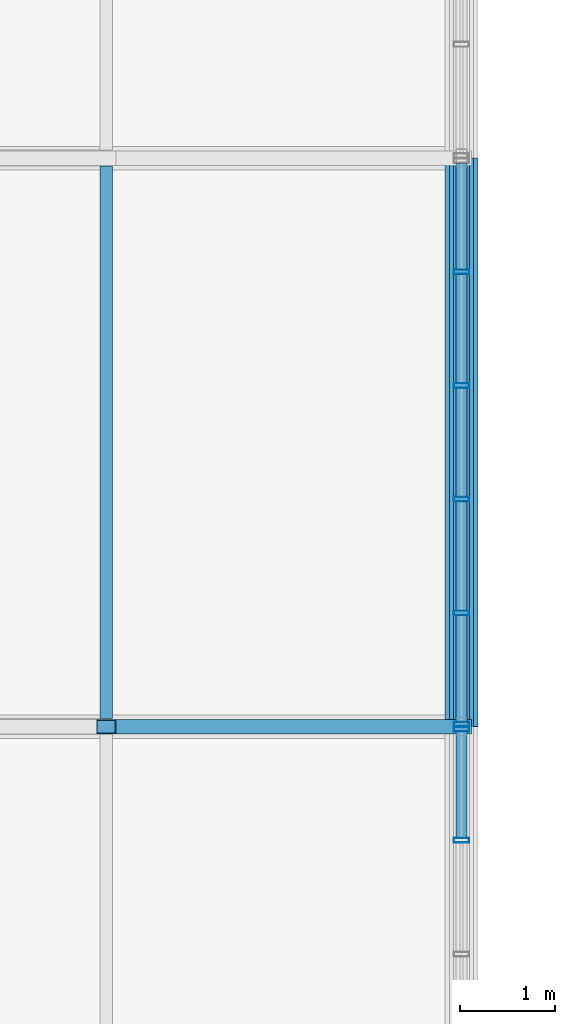
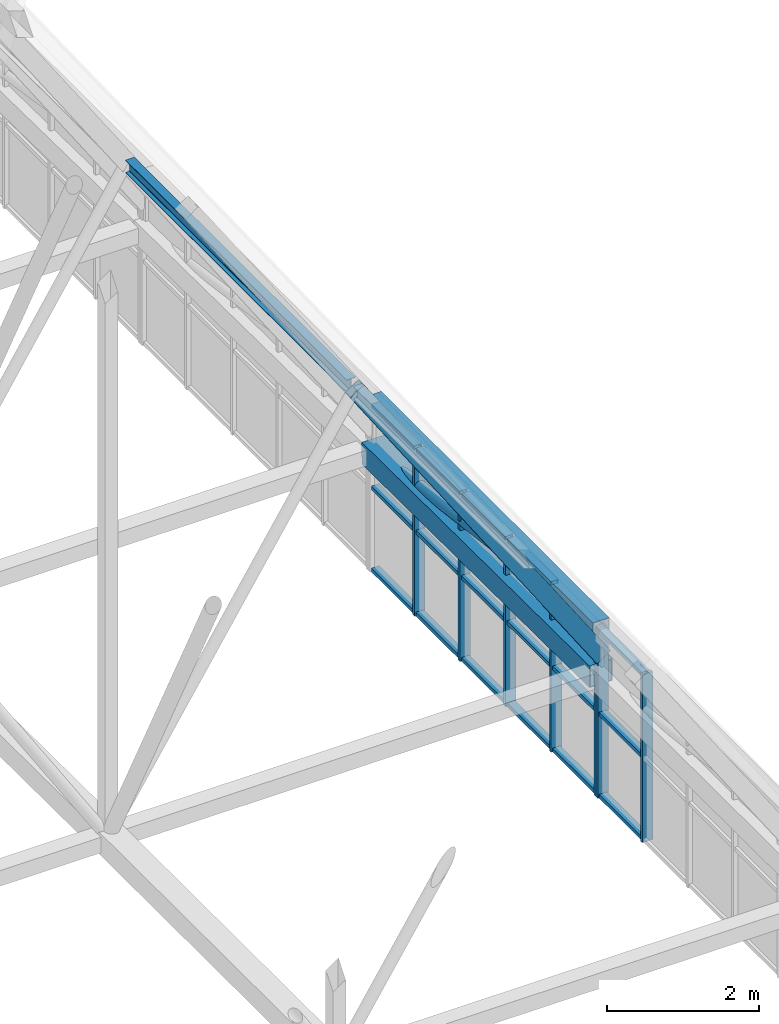
# One storey, part 232 of 324: 29 members, 1 beam, 2 elements without a shape of their own.
"""IFC4 building model written with IfcOpenShell, lengths in metres."""

import ifcopenshell
import ifcopenshell.guid

model = None  # the IFC model being written
_history = None  # IfcOwnerHistory: only IFC2X3 demands one
_inside = {}  # id of a spatial element -> (the spatial element, [elements in it])
_under = {}  # id of a project, library or spatial element -> (it, [spatial elements below it])
_declared = {}  # id of a project -> (the project, [libraries it declares])
_typed = {}  # id of a type object -> (the type object, [elements of that type])
_made_of = {}  # id of a material, layer set ... -> (it, [elements and type objects made of it])


def new_model(schema):
    """Start an empty IFC model of exactly this schema.

    Asked for "IFC4X3", IfcOpenShell would pick the latest addendum, in which some entities
    have other attributes; the version numbers below select the first issue.
    IFC2X3 requires an IfcOwnerHistory on every rooted entity: one is made here for all.
    """
    global model, _history
    if schema == "IFC4X3":
        model = ifcopenshell.file(schema_version=(4, 3, 0, 0))
    else:
        model = ifcopenshell.file(schema=schema)
    _inside.clear()
    _under.clear()
    _declared.clear()
    _typed.clear()
    _made_of.clear()
    _history = None
    if model.schema == "IFC2X3":
        org = make("IfcOrganization", Name="unknown")
        user = make(
            "IfcPersonAndOrganization",
            ThePerson=make("IfcPerson", FamilyName="unknown"),
            TheOrganization=org,
        )
        app = make(
            "IfcApplication",
            ApplicationDeveloper=org,
            Version="unknown",
            ApplicationFullName="unknown",
            ApplicationIdentifier="unknown",
        )
        _history = make(
            "IfcOwnerHistory",
            OwningUser=user,
            OwningApplication=app,
            ChangeAction="ADDED",
            CreationDate=0,
        )
    return model


def make(cls, **values):
    """One entity of the class cls with the attributes given. An attribute that is None is left unset."""
    return model.create_entity(
        cls, **{name: value for name, value in values.items() if value is not None}
    )


def rooted(cls, **values):
    """An entity with a GlobalId (a new one), such as an element, a storey or a relation."""
    return make(cls, GlobalId=ifcopenshell.guid.new(), OwnerHistory=_history, **values)


def si_unit(unit_type, name, prefix=None):
    """IfcSIUnit, for example si_unit("LENGTHUNIT", "METRE", prefix="MILLI")."""
    return make("IfcSIUnit", UnitType=unit_type, Prefix=prefix, Name=name)


def assignment(units):
    """IfcUnitAssignment: the units of a project."""
    return None if units is None else make("IfcUnitAssignment", Units=units)


def point(xyz):
    """IfcCartesianPoint."""
    return None if xyz is None else make("IfcCartesianPoint", Coordinates=xyz)


def direction(xyz):
    """IfcDirection."""
    return None if xyz is None else make("IfcDirection", DirectionRatios=xyz)


def frame(location, z_axis=None, x_axis=None):
    """IfcAxis2Placement3D, a coordinate frame: its origin and axes. An axis left out is left unset."""
    return make(
        "IfcAxis2Placement3D",
        Location=point(location),
        Axis=direction(z_axis),
        RefDirection=direction(x_axis),
    )


def frame_2d(location, x_axis=None):
    """IfcAxis2Placement2D, a coordinate frame in the plane: its origin and x axis."""
    return make(
        "IfcAxis2Placement2D", Location=point(location), RefDirection=direction(x_axis)
    )


def origin():
    """The frame at (0, 0, 0) with its axes left unset."""
    return frame((0.0, 0.0, 0.0))


def origin_2d():
    """The frame at (0, 0) in the plane with its x axis left unset."""
    return frame_2d((0.0, 0.0))


def place(relative_to, where):
    """IfcLocalPlacement: puts the frame where relative to a parent placement (None: the world)."""
    return make(
        "IfcLocalPlacement", PlacementRelTo=relative_to, RelativePlacement=where
    )


def context(
    kind, dimensions, precision=None, world=None, true_north=None, identifier=None
):
    """IfcGeometricRepresentationContext, for example the 3D "Model" context."""
    return make(
        "IfcGeometricRepresentationContext",
        ContextIdentifier=identifier,
        ContextType=kind,
        CoordinateSpaceDimension=dimensions,
        Precision=precision,
        WorldCoordinateSystem=world,
        TrueNorth=true_north,
    )


def subcontext(parent, identifier, kind, view, scale=None):
    """IfcGeometricRepresentationSubContext, for example "Body" below "Model"."""
    return make(
        "IfcGeometricRepresentationSubContext",
        ContextIdentifier=identifier,
        ContextType=kind,
        ParentContext=parent,
        TargetScale=scale,
        TargetView=view,
    )


def project(units=None, contexts=None):
    """IfcProject with its units and contexts."""
    return rooted(
        "IfcProject",
        Name="project",
        RepresentationContexts=contexts,
        UnitsInContext=assignment(units),
    )


def spatial(cls, under=None, at=None, **own):
    """A site, building, storey or space (cls), placed at a placement, below another one or the project."""
    s = rooted(cls, ObjectPlacement=at, **own)
    if under is not None:
        _under.setdefault(under.id(), (under, []))[1].append(s)
    return s


def profile(cls, at=None, kind="AREA", **sizes):
    """A parametric profile (cls). Its sizes go by their IFC names, for example OverallWidth=200.0."""
    return make(cls, ProfileType=kind, Position=at, **sizes)


def hollow_rectangle(**sizes):
    """IfcRectangleHollowProfileDef."""
    return profile("IfcRectangleHollowProfileDef", **sizes)


def hollow_circle(**sizes):
    """IfcCircleHollowProfileDef."""
    return profile("IfcCircleHollowProfileDef", **sizes)


def i_section(**sizes):
    """IfcIShapeProfileDef."""
    return profile("IfcIShapeProfileDef", **sizes)


def extrude(swept, where, along, depth):
    """IfcExtrudedAreaSolid: the profile swept, set in the frame where, extruded along a direction by depth."""
    return make(
        "IfcExtrudedAreaSolid",
        SweptArea=swept,
        Position=where,
        ExtrudedDirection=direction(along),
        Depth=depth,
    )


def shape(context_of_items, identifier, shape_type, items):
    """IfcShapeRepresentation: the items that make up one representation, for example the "Body"."""
    return make(
        "IfcShapeRepresentation",
        ContextOfItems=context_of_items,
        RepresentationIdentifier=identifier,
        RepresentationType=shape_type,
        Items=items,
    )


def material(Name=None, Category=None):
    """IfcMaterial."""
    return make("IfcMaterial", Name=Name, Category=Category)


def layer(
    of_material, thickness, ventilated=None, Name=None, Category=None, Priority=None
):
    """IfcMaterialLayer: one layer of a wall or slab, of a material (None: an air gap)."""
    return make(
        "IfcMaterialLayer",
        Material=of_material,
        LayerThickness=thickness,
        IsVentilated=ventilated,
        Name=Name,
        Category=Category,
        Priority=Priority,
    )


def layer_set(layers, Name=None):
    """IfcMaterialLayerSet."""
    return make("IfcMaterialLayerSet", MaterialLayers=layers, LayerSetName=Name)


def material_profile(
    of_material, cross_section, Name=None, Category=None, Priority=None
):
    """IfcMaterialProfile: a cross section and its material."""
    return make(
        "IfcMaterialProfile",
        Name=Name,
        Material=of_material,
        Profile=cross_section,
        Priority=Priority,
        Category=Category,
    )


def profile_set(profiles, Name=None, composite=None):
    """IfcMaterialProfileSet."""
    return make(
        "IfcMaterialProfileSet",
        Name=Name,
        MaterialProfiles=profiles,
        CompositeProfile=composite,
    )


def made_of(thing, what):
    """Note that an element or type object is made of a material, layer set ...; save() writes the relation."""
    if what is not None:
        _made_of.setdefault(what.id(), (what, []))[1].append(thing)
    return thing


def type_object(cls, material=None, **own):
    """A type object (cls), such as IfcWallType, which elements share."""
    return made_of(rooted(cls, **own), material)


def element(
    cls,
    number,
    at=None,
    inside=None,
    cuts=None,
    type_object=None,
    material=None,
    context=None,
    identifier="Body",
    shape_type=None,
    held_by="IfcProductDefinitionShape",
    body=None,
    shapes=None,
    **own,
):
    """One element of the class cls, such as IfcWall. Its Tag is "e" and its number.

    at: its placement. inside: the storey or other place that contains it. cuts: it is an
    opening in that element (IfcRelVoidsElement). A single representation is given by context,
    identifier, shape_type and body (its items); several are given by shapes. held_by: the class
    of the entity that holds the representations. save() writes the other relations.
    """
    e = rooted(cls, Tag="e%d" % number, ObjectPlacement=at, **own)
    if body is not None:
        shapes = [shape(context, identifier, shape_type, body)]
    if shapes is not None:
        e.Representation = make(held_by, Representations=shapes)
    if inside is not None:
        _inside.setdefault(inside.id(), (inside, []))[1].append(e)
    if cuts is not None:
        rooted(
            "IfcRelVoidsElement", RelatingBuildingElement=cuts, RelatedOpeningElement=e
        )
    if type_object is not None:
        _typed.setdefault(type_object.id(), (type_object, []))[1].append(e)
    return made_of(e, material)


def aggregate(whole, parts):
    """IfcRelAggregates: a whole, such as a stair, and the parts it consists of."""
    return rooted("IfcRelAggregates", RelatingObject=whole, RelatedObjects=parts)


def save(model, path):
    """Write the relations noted so far, then the file.

    IfcRelAggregates (storeys below a building ...), IfcRelContainedInSpatialStructure (elements
    in a storey), IfcRelDefinesByType, IfcRelAssociatesMaterial and IfcRelDeclares: one each for
    every whole, place, type object, material and project.
    """
    for whole, parts in _under.values():
        aggregate(whole, parts)
    for where, things in _inside.values():
        rooted(
            "IfcRelContainedInSpatialStructure",
            RelatedElements=things,
            RelatingStructure=where,
        )
    for kind, things in _typed.values():
        rooted("IfcRelDefinesByType", RelatedObjects=things, RelatingType=kind)
    for what, things in _made_of.values():
        rooted("IfcRelAssociatesMaterial", RelatedObjects=things, RelatingMaterial=what)
    for by, libraries in _declared.values():
        rooted("IfcRelDeclares", RelatingContext=by, RelatedDefinitions=libraries)
    model.write(path)


model = new_model("IFC4")

# Units and contexts
model_context = context("Model", 3, precision=1e-05, world=origin(), true_north=direction((0.0, 1.0)))
body_context = subcontext(model_context, "Body", "Model", "MODEL_VIEW")
ifc_project = project(units=[si_unit("LENGTHUNIT", "METRE"), si_unit("AREAUNIT", "SQUARE_METRE"), si_unit("VOLUMEUNIT", "CUBIC_METRE"), si_unit("PLANEANGLEUNIT", "RADIAN"), si_unit("MASSUNIT", "GRAM", prefix="KILO")], contexts=[model_context])

# Site, building, storey
site_placement = place(None, origin())
site = spatial("IfcSite", under=ifc_project, at=site_placement, CompositionType="ELEMENT")
building_placement = place(site_placement, origin())
building = spatial("IfcBuilding", under=site, at=building_placement, Name="Solvenia Promenade Tram Depot", CompositionType="ELEMENT")
storey_placement = place(building_placement, frame((0.0, 0.0, 4.5)))
storey = spatial("IfcBuildingStorey", under=building, at=storey_placement, Name="L01", CompositionType="ELEMENT", Elevation=4.5)

# Curtain wall, members
ifc_material_1 = material(Name="Anodized aluminium AW-6063 T6", Category="aluminium")
ifc_layer = layer(ifc_material_1, 0.159912109375, Name="Anodized aluminium AW-6063 T6", Category="aluminium")
ifc_layer_set = layer_set([ifc_layer], Name="Anodized aluminium AW-6063 T6")
curtain_wall_type = type_object("IfcCurtainWallType", Name="CW-Channel-1200", PredefinedType="NOTDEFINED", material=ifc_layer_set)
curtain_wall_1_placement = place(storey_placement, origin())
curtain_wall_1 = element("IfcCurtainWall", 1, at=curtain_wall_1_placement, inside=storey, type_object=curtain_wall_type, Name="Curtain Wall CW-V1E-06", PredefinedType="NOTDEFINED")
ifc_material_profile_1 = material_profile(ifc_material_1, hollow_rectangle(XDim=0.159912109375, YDim=0.052001953125, WallThickness=0.00390625, at=origin_2d()), Name="ALU-M1", Category="aluminium")
ifc_profile_set_1 = profile_set([ifc_material_profile_1], Name="Anodized aluminium AW-6063 T6")
member_type_1 = type_object("IfcMemberType", Name="CWM-Mullion-1", PredefinedType="MULLION", material=ifc_profile_set_1)
member_1_placement = place(storey_placement, frame((150.0, 100.800048828125, 0.699951171875), z_axis=(0.0, 0.0, 1.0), x_axis=(-1.0, 0.0, 0.0)))
member_1 = element("IfcMember", 2, at=member_1_placement, type_object=member_type_1, Name="CW-1 mullion 5", PredefinedType="MULLION", context=body_context, shape_type="SweptSolid", body=[
    extrude(hollow_rectangle(XDim=0.159912109375, YDim=0.052001953125, WallThickness=0.00390625, at=origin_2d()), origin(), (0.0, 0.0, 1.0), 2.699951171875),
])
member_2_placement = place(storey_placement, frame((150.0, 101.97412109375, 0.699951171875), z_axis=(0.0, 0.0, 1.0), x_axis=(-1.0, 0.0, 0.0)))
member_2 = element("IfcMember", 3, at=member_2_placement, type_object=member_type_1, Name="CW-1 mullion 6", PredefinedType="MULLION", context=body_context, shape_type="SweptSolid", body=[
    extrude(hollow_rectangle(XDim=0.159912109375, YDim=0.052001953125, WallThickness=0.00390625, at=origin_2d()), origin(), (0.0, 0.0, 1.0), 2.699951171875),
])

curtain_wall_2_placement = place(storey_placement, origin())
curtain_wall_2 = element("IfcCurtainWall", 4, at=curtain_wall_2_placement, inside=storey, type_object=curtain_wall_type, Name="Curtain Wall CW-V1E-07", PredefinedType="NOTDEFINED")
member_3_placement = place(storey_placement, frame((150.0, 102.02587890625, 0.699951171875), z_axis=(0.0, 0.0, 1.0), x_axis=(-1.0, 0.0, 0.0)))
member_3 = element("IfcMember", 5, at=member_3_placement, type_object=member_type_1, Name="CW-1 mullion 1", PredefinedType="MULLION", context=body_context, shape_type="SweptSolid", body=[
    extrude(hollow_rectangle(XDim=0.159912109375, YDim=0.052001953125, WallThickness=0.00390625, at=origin_2d()), origin(), (0.0, 0.0, 1.0), 2.699951171875),
])
member_4_placement = place(storey_placement, frame((150.0, 103.199951171875, 0.699951171875), z_axis=(0.0, 0.0, 1.0), x_axis=(-1.0, 0.0, 0.0)))
member_4 = element("IfcMember", 6, at=member_4_placement, type_object=member_type_1, Name="CW-1 mullion 2", PredefinedType="MULLION", context=body_context, shape_type="SweptSolid", body=[
    extrude(hollow_rectangle(XDim=0.159912109375, YDim=0.052001953125, WallThickness=0.00390625, at=origin_2d()), origin(), (0.0, 0.0, 1.0), 2.699951171875),
])
member_5_placement = place(storey_placement, frame((150.0, 104.39990234375, 0.699951171875), z_axis=(0.0, 0.0, 1.0), x_axis=(-1.0, 0.0, 0.0)))
member_5 = element("IfcMember", 7, at=member_5_placement, type_object=member_type_1, Name="CW-1 mullion 3", PredefinedType="MULLION", context=body_context, shape_type="SweptSolid", body=[
    extrude(hollow_rectangle(XDim=0.159912109375, YDim=0.052001953125, WallThickness=0.00390625, at=origin_2d()), origin(), (0.0, 0.0, 1.0), 2.699951171875),
])
member_6_placement = place(storey_placement, frame((150.0, 105.60009765625, 0.699951171875), z_axis=(0.0, 0.0, 1.0), x_axis=(-1.0, 0.0, 0.0)))
member_6 = element("IfcMember", 8, at=member_6_placement, type_object=member_type_1, Name="CW-1 mullion 4", PredefinedType="MULLION", context=body_context, shape_type="SweptSolid", body=[
    extrude(hollow_rectangle(XDim=0.159912109375, YDim=0.052001953125, WallThickness=0.00390625, at=origin_2d()), origin(), (0.0, 0.0, 1.0), 2.699951171875),
])
member_7_placement = place(storey_placement, frame((150.0, 106.800048828125, 0.699951171875), z_axis=(0.0, 0.0, 1.0), x_axis=(-1.0, 0.0, 0.0)))
member_7 = element("IfcMember", 9, at=member_7_placement, type_object=member_type_1, Name="CW-1 mullion 5", PredefinedType="MULLION", context=body_context, shape_type="SweptSolid", body=[
    extrude(hollow_rectangle(XDim=0.159912109375, YDim=0.052001953125, WallThickness=0.00390625, at=origin_2d()), origin(), (0.0, 0.0, 1.0), 2.699951171875),
])

# Member
ifc_material_profile_2 = material_profile(ifc_material_1, hollow_rectangle(XDim=0.1201171875, YDim=0.06005859375, WallThickness=0.00390625, at=origin_2d()), Name="ALU-T1", Category="aluminium")
ifc_profile_set_2 = profile_set([ifc_material_profile_2], Name="Anodized aluminium AW-6063 T6")
member_type_2 = type_object("IfcMemberType", Name="CWT-Transom-1", PredefinedType="USERDEFINED", material=ifc_profile_set_2)
member_8_placement = place(storey_placement, frame((150.0, 100.825927734375, 0.72998046875), z_axis=(0.0, 1.0, 0.0), x_axis=(-1.0, 0.0, 0.0)))
member_8 = element("IfcMember", 10, at=member_8_placement, type_object=member_type_2, Name="CW-1 transom 5.1", ObjectType="TRANSOM", PredefinedType="USERDEFINED", context=body_context, shape_type="SweptSolid", body=[
    extrude(hollow_rectangle(XDim=0.1201171875, YDim=0.06005859375, WallThickness=0.00390625, at=origin_2d()), origin(), (0.0, 0.0, 1.0), 1.1220703125),
])

member_9_placement = place(storey_placement, frame((150.0, 100.825927734375, 2.050048828125), z_axis=(0.0, 1.0, 0.0), x_axis=(-1.0, 0.0, 0.0)))
member_9 = element("IfcMember", 11, at=member_9_placement, type_object=member_type_2, Name="CW-1 transom 5.2", ObjectType="TRANSOM", PredefinedType="USERDEFINED", context=body_context, shape_type="SweptSolid", body=[
    extrude(hollow_rectangle(XDim=0.1201171875, YDim=0.06005859375, WallThickness=0.00390625, at=origin_2d()), origin(), (0.0, 0.0, 1.0), 1.1220703125),
])

member_10_placement = place(storey_placement, frame((150.0, 100.825927734375, 3.3701171875), z_axis=(0.0, 1.0, 0.0), x_axis=(-1.0, 0.0, 0.0)))
member_10 = element("IfcMember", 12, at=member_10_placement, type_object=member_type_2, Name="CW-1 transom 5.3", ObjectType="TRANSOM", PredefinedType="USERDEFINED", context=body_context, shape_type="SweptSolid", body=[
    extrude(hollow_rectangle(XDim=0.1201171875, YDim=0.06005859375, WallThickness=0.00390625, at=origin_2d()), origin(), (0.0, 0.0, 1.0), 1.1220703125),
])

aggregate(curtain_wall_1, [member_1, member_2, member_8, member_9, member_10])

member_11_placement = place(storey_placement, frame((150.0, 102.052001953125, 0.72998046875), z_axis=(0.0, 1.0, 0.0), x_axis=(-1.0, 0.0, 0.0)))
member_11 = element("IfcMember", 13, at=member_11_placement, type_object=member_type_2, Name="CW-1 transom 1.1", ObjectType="TRANSOM", PredefinedType="USERDEFINED", context=body_context, shape_type="SweptSolid", body=[
    extrude(hollow_rectangle(XDim=0.1201171875, YDim=0.06005859375, WallThickness=0.00390625, at=origin_2d()), origin(), (0.0, 0.0, 1.0), 1.1220703125),
])

member_12_placement = place(storey_placement, frame((150.0, 102.052001953125, 2.050048828125), z_axis=(0.0, 1.0, 0.0), x_axis=(-1.0, 0.0, 0.0)))
member_12 = element("IfcMember", 14, at=member_12_placement, type_object=member_type_2, Name="CW-1 transom 1.2", ObjectType="TRANSOM", PredefinedType="USERDEFINED", context=body_context, shape_type="SweptSolid", body=[
    extrude(hollow_rectangle(XDim=0.1201171875, YDim=0.06005859375, WallThickness=0.00390625, at=origin_2d()), origin(), (0.0, 0.0, 1.0), 1.1220703125),
])

member_13_placement = place(storey_placement, frame((150.0, 102.052001953125, 3.3701171875), z_axis=(0.0, 1.0, 0.0), x_axis=(-1.0, 0.0, 0.0)))
member_13 = element("IfcMember", 15, at=member_13_placement, type_object=member_type_2, Name="CW-1 transom 1.3", ObjectType="TRANSOM", PredefinedType="USERDEFINED", context=body_context, shape_type="SweptSolid", body=[
    extrude(hollow_rectangle(XDim=0.1201171875, YDim=0.06005859375, WallThickness=0.00390625, at=origin_2d()), origin(), (0.0, 0.0, 1.0), 1.1220703125),
])

member_14_placement = place(storey_placement, frame((150.0, 103.22607421875, 0.72998046875), z_axis=(0.0, 1.0, 0.0), x_axis=(-1.0, 0.0, 0.0)))
member_14 = element("IfcMember", 16, at=member_14_placement, type_object=member_type_2, Name="CW-1 transom 2.1", ObjectType="TRANSOM", PredefinedType="USERDEFINED", context=body_context, shape_type="SweptSolid", body=[
    extrude(hollow_rectangle(XDim=0.1201171875, YDim=0.06005859375, WallThickness=0.00390625, at=origin_2d()), origin(), (0.0, 0.0, 1.0), 1.14794921875),
])

member_15_placement = place(storey_placement, frame((150.0, 103.22607421875, 2.050048828125), z_axis=(0.0, 1.0, 0.0), x_axis=(-1.0, 0.0, 0.0)))
member_15 = element("IfcMember", 17, at=member_15_placement, type_object=member_type_2, Name="CW-1 transom 2.2", ObjectType="TRANSOM", PredefinedType="USERDEFINED", context=body_context, shape_type="SweptSolid", body=[
    extrude(hollow_rectangle(XDim=0.1201171875, YDim=0.06005859375, WallThickness=0.00390625, at=origin_2d()), origin(), (0.0, 0.0, 1.0), 1.14794921875),
])

member_16_placement = place(storey_placement, frame((150.0, 103.22607421875, 3.3701171875), z_axis=(0.0, 1.0, 0.0), x_axis=(-1.0, 0.0, 0.0)))
member_16 = element("IfcMember", 18, at=member_16_placement, type_object=member_type_2, Name="CW-1 transom 2.3", ObjectType="TRANSOM", PredefinedType="USERDEFINED", context=body_context, shape_type="SweptSolid", body=[
    extrude(hollow_rectangle(XDim=0.1201171875, YDim=0.06005859375, WallThickness=0.00390625, at=origin_2d()), origin(), (0.0, 0.0, 1.0), 1.14794921875),
])

member_17_placement = place(storey_placement, frame((150.0, 104.426025390625, 0.72998046875), z_axis=(0.0, 1.0, 0.0), x_axis=(-1.0, 0.0, 0.0)))
member_17 = element("IfcMember", 19, at=member_17_placement, type_object=member_type_2, Name="CW-1 transom 3.1", ObjectType="TRANSOM", PredefinedType="USERDEFINED", context=body_context, shape_type="SweptSolid", body=[
    extrude(hollow_rectangle(XDim=0.1201171875, YDim=0.06005859375, WallThickness=0.00390625, at=origin_2d()), origin(), (0.0, 0.0, 1.0), 1.14794921875),
])

member_18_placement = place(storey_placement, frame((150.0, 104.426025390625, 2.050048828125), z_axis=(0.0, 1.0, 0.0), x_axis=(-1.0, 0.0, 0.0)))
member_18 = element("IfcMember", 20, at=member_18_placement, type_object=member_type_2, Name="CW-1 transom 3.2", ObjectType="TRANSOM", PredefinedType="USERDEFINED", context=body_context, shape_type="SweptSolid", body=[
    extrude(hollow_rectangle(XDim=0.1201171875, YDim=0.06005859375, WallThickness=0.00390625, at=origin_2d()), origin(), (0.0, 0.0, 1.0), 1.14794921875),
])

member_19_placement = place(storey_placement, frame((150.0, 104.426025390625, 3.3701171875), z_axis=(0.0, 1.0, 0.0), x_axis=(-1.0, 0.0, 0.0)))
member_19 = element("IfcMember", 21, at=member_19_placement, type_object=member_type_2, Name="CW-1 transom 3.3", ObjectType="TRANSOM", PredefinedType="USERDEFINED", context=body_context, shape_type="SweptSolid", body=[
    extrude(hollow_rectangle(XDim=0.1201171875, YDim=0.06005859375, WallThickness=0.00390625, at=origin_2d()), origin(), (0.0, 0.0, 1.0), 1.14794921875),
])

member_20_placement = place(storey_placement, frame((150.0, 105.6259765625, 0.72998046875), z_axis=(0.0, 1.0, 0.0), x_axis=(-1.0, 0.0, 0.0)))
member_20 = element("IfcMember", 22, at=member_20_placement, type_object=member_type_2, Name="CW-1 transom 4.1", ObjectType="TRANSOM", PredefinedType="USERDEFINED", context=body_context, shape_type="SweptSolid", body=[
    extrude(hollow_rectangle(XDim=0.1201171875, YDim=0.06005859375, WallThickness=0.00390625, at=origin_2d()), origin(), (0.0, 0.0, 1.0), 1.14794921875),
])

member_21_placement = place(storey_placement, frame((150.0, 105.6259765625, 2.050048828125), z_axis=(0.0, 1.0, 0.0), x_axis=(-1.0, 0.0, 0.0)))
member_21 = element("IfcMember", 23, at=member_21_placement, type_object=member_type_2, Name="CW-1 transom 4.2", ObjectType="TRANSOM", PredefinedType="USERDEFINED", context=body_context, shape_type="SweptSolid", body=[
    extrude(hollow_rectangle(XDim=0.1201171875, YDim=0.06005859375, WallThickness=0.00390625, at=origin_2d()), origin(), (0.0, 0.0, 1.0), 1.14794921875),
])

member_22_placement = place(storey_placement, frame((150.0, 105.6259765625, 3.3701171875), z_axis=(0.0, 1.0, 0.0), x_axis=(-1.0, 0.0, 0.0)))
member_22 = element("IfcMember", 24, at=member_22_placement, type_object=member_type_2, Name="CW-1 transom 4.3", ObjectType="TRANSOM", PredefinedType="USERDEFINED", context=body_context, shape_type="SweptSolid", body=[
    extrude(hollow_rectangle(XDim=0.1201171875, YDim=0.06005859375, WallThickness=0.00390625, at=origin_2d()), origin(), (0.0, 0.0, 1.0), 1.14794921875),
])

member_23_placement = place(storey_placement, frame((150.0, 106.825927734375, 0.72998046875), z_axis=(0.0, 1.0, 0.0), x_axis=(-1.0, 0.0, 0.0)))
member_23 = element("IfcMember", 25, at=member_23_placement, type_object=member_type_2, Name="CW-1 transom 5.1", ObjectType="TRANSOM", PredefinedType="USERDEFINED", context=body_context, shape_type="SweptSolid", body=[
    extrude(hollow_rectangle(XDim=0.1201171875, YDim=0.06005859375, WallThickness=0.00390625, at=origin_2d()), origin(), (0.0, 0.0, 1.0), 1.1220703125),
])

member_24_placement = place(storey_placement, frame((150.0, 106.825927734375, 2.050048828125), z_axis=(0.0, 1.0, 0.0), x_axis=(-1.0, 0.0, 0.0)))
member_24 = element("IfcMember", 26, at=member_24_placement, type_object=member_type_2, Name="CW-1 transom 5.2", ObjectType="TRANSOM", PredefinedType="USERDEFINED", context=body_context, shape_type="SweptSolid", body=[
    extrude(hollow_rectangle(XDim=0.1201171875, YDim=0.06005859375, WallThickness=0.00390625, at=origin_2d()), origin(), (0.0, 0.0, 1.0), 1.1220703125),
])

member_25_placement = place(storey_placement, frame((150.0, 106.825927734375, 3.3701171875), z_axis=(0.0, 1.0, 0.0), x_axis=(-1.0, 0.0, 0.0)))
member_25 = element("IfcMember", 27, at=member_25_placement, type_object=member_type_2, Name="CW-1 transom 5.3", ObjectType="TRANSOM", PredefinedType="USERDEFINED", context=body_context, shape_type="SweptSolid", body=[
    extrude(hollow_rectangle(XDim=0.1201171875, YDim=0.06005859375, WallThickness=0.00390625, at=origin_2d()), origin(), (0.0, 0.0, 1.0), 1.1220703125),
])

aggregate(curtain_wall_2, [member_3, member_4, member_5, member_6, member_7, member_11, member_12, member_13, member_14, member_15, member_16, member_17, member_18, member_19, member_20, member_21, member_22, member_23, member_24, member_25])

# Members
ifc_material_2 = material(Name="Structural steel ASTM A500 Gr. C", Category="steel")
ifc_material_profile_3 = material_profile(ifc_material_2, hollow_rectangle(XDim=0.14990234375, YDim=0.25, WallThickness=0.010009765625, at=origin_2d()), Name="HSS250x150x10", Category="steel")
ifc_profile_set_3 = profile_set([ifc_material_profile_3], Name="Structural steel ASTM A500 Gr. C")
member_type_3 = type_object("IfcMemberType", Name="Chord-HSS250x150x10", PredefinedType="CHORD", material=ifc_profile_set_3)
member_26_placement = place(storey_placement, frame((146.25, 102.0, 8.54443359375), z_axis=(0.557276274528, 0.0, -0.830327136644), x_axis=(0.0, 1.0, 0.0)))
element("IfcMember", 28, at=member_26_placement, inside=storey, type_object=member_type_3, Name="Zigzag Gable 10 East Lower Rafter", PredefinedType="CHORD", context=body_context, shape_type="SweptSolid", body=[
    extrude(hollow_rectangle(XDim=0.14990234375, YDim=0.25, WallThickness=0.010009765625, at=origin_2d()), origin(), (0.0, 0.0, 1.0), 6.729248046875),
])
ifc_material_profile_4 = material_profile(ifc_material_2, hollow_rectangle(XDim=0.25, YDim=0.25, WallThickness=0.010009765625, at=origin_2d()), Name="HSS250x250x10", Category="steel")
ifc_profile_set_4 = profile_set([ifc_material_profile_4], Name="Structural steel ASTM A500 Gr. C")
member_type_4 = type_object("IfcMemberType", Name="Chord-HSS250x250x10", PredefinedType="CHORD", material=ifc_profile_set_4)
member_27_placement = place(storey_placement, frame((150.0, 102.0, 3.3798828125), z_axis=(0.0, 1.0, 0.0), x_axis=(-1.0, 0.0, 0.0)))
element("IfcMember", 29, at=member_27_placement, inside=storey, type_object=member_type_4, Name="Arched Truss T21 Upper Chord S07", PredefinedType="CHORD", context=body_context, shape_type="SweptSolid", body=[
    extrude(hollow_rectangle(XDim=0.25, YDim=0.25, WallThickness=0.010009765625, at=origin_2d()), origin(), (0.0, 0.0, 1.0), 6.0),
])
ifc_material_profile_5 = material_profile(ifc_material_2, hollow_rectangle(XDim=0.35009765625, YDim=0.35009765625, WallThickness=0.01611328125, at=origin_2d()), Name="HSS350x350x16", Category="steel")
ifc_profile_set_5 = profile_set([ifc_material_profile_5], Name="Structural steel ASTM A500 Gr. C")
member_type_5 = type_object("IfcMemberType", Name="Chord-HSS350x350x16", PredefinedType="CHORD", material=ifc_profile_set_5)
member_28_placement = place(storey_placement, frame((150.0, 102.0, 2.656005859375), z_axis=(0.0, 0.999975510013, -0.006998526519), x_axis=(-1.0, 0.0, 0.0)))
element("IfcMember", 30, at=member_28_placement, inside=storey, type_object=member_type_5, Name="Arched Truss T21 Bottom Chord S07", PredefinedType="CHORD", context=body_context, shape_type="SweptSolid", body=[
    extrude(hollow_rectangle(XDim=0.35009765625, YDim=0.35009765625, WallThickness=0.01611328125, at=origin_2d()), origin(), (0.0, 0.0, 1.0), 6.000244140625),
])

# Beam
ifc_material_3 = material(Name="Structural steel ASTM A992 Gr. 50", Category="steel")
ifc_material_profile_6 = material_profile(ifc_material_3, i_section(OverallWidth=0.133056640625, OverallDepth=0.20703125, WebThickness=0.005859375, FlangeThickness=0.00830078125, FilletRadius=0.009033203125, at=origin_2d()), Name="W200x27", Category="steel")
ifc_profile_set_6 = profile_set([ifc_material_profile_6], Name="Structural steel ASTM A992 Gr. 50")
beam_type = type_object("IfcBeamType", Name="Purlin-W200x27", PredefinedType="USERDEFINED", material=ifc_profile_set_6)
beam_placement = place(storey_placement, frame((146.25, 102.0849609375, 8.551025390625), z_axis=(0.0, 1.0, 0.0), x_axis=(-1.0, 0.0, 0.0)))
element("IfcBeam", 31, at=beam_placement, inside=storey, type_object=beam_type, Name="Gable Roof Purlin E-0194", ObjectType="PURLIN", PredefinedType="USERDEFINED", context=body_context, shape_type="SweptSolid", body=[
    extrude(i_section(OverallWidth=0.133056640625, OverallDepth=0.20703125, WebThickness=0.005859375, FlangeThickness=0.00830078125, FilletRadius=0.009033203125, at=origin_2d()), origin(), (0.0, 0.0, 1.0), 5.830078125),
])

# Member
ifc_material_profile_7 = material_profile(ifc_material_2, hollow_circle(Radius=0.084228515625, WallThickness=0.008056640625, at=origin_2d()), Name="CHS168.3x8", Category="steel")
ifc_profile_set_7 = profile_set([ifc_material_profile_7], Name="Structural steel ASTM A500 Gr. C")
member_type_6 = type_object("IfcMemberType", Name="WebDiag-CHS168x8", PredefinedType="BRACE", material=ifc_profile_set_7)
member_29_placement = place(storey_placement, frame((150.0, 108.0, 2.614013671875), z_axis=(0.0, -0.991951613347, 0.126617521609), x_axis=(1.0, 0.0, 0.0)))
element("IfcMember", 32, at=member_29_placement, inside=storey, type_object=member_type_6, Name="Arched Truss T21 Web Diagonal S07", PredefinedType="BRACE", context=body_context, shape_type="SweptSolid", body=[
    extrude(hollow_circle(Radius=0.084228515625, WallThickness=0.008056640625, at=origin_2d()), origin(), (0.0, 0.0, 1.0), 6.048583984375),
])

save(model, "model.ifc")
